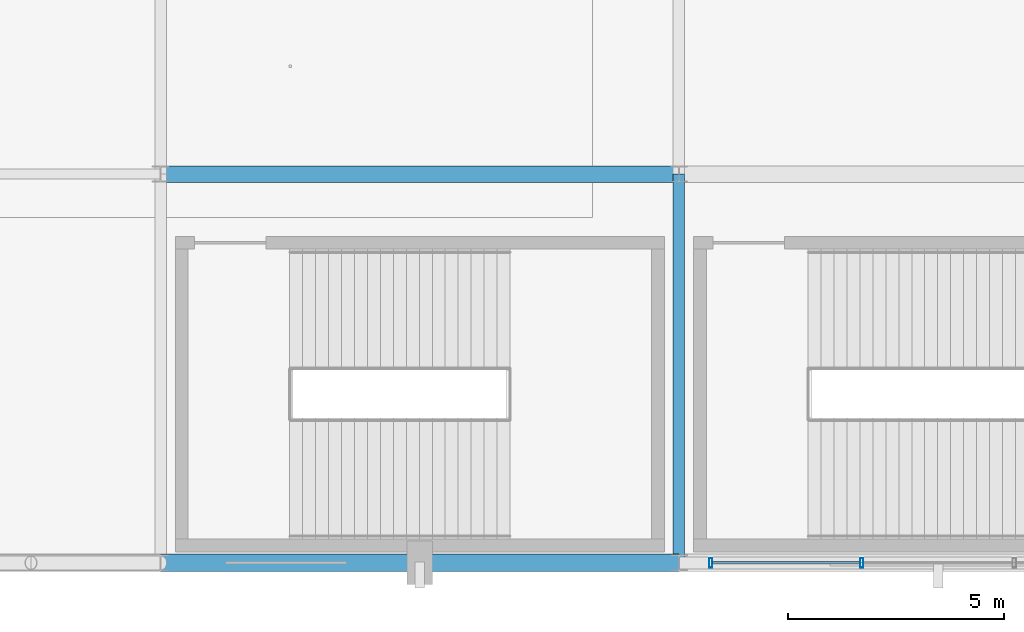
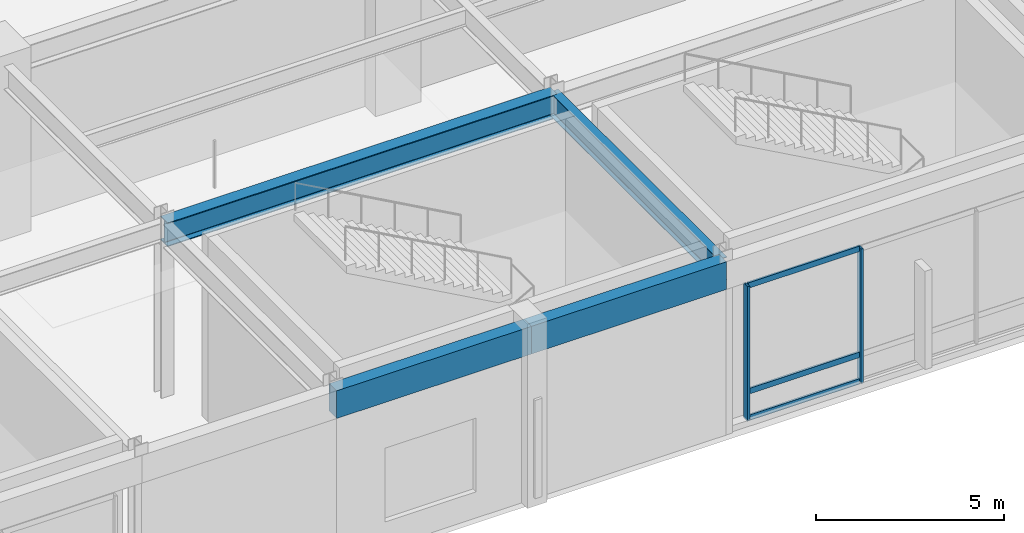
# One storey, part 22 of 108: 5 members, 4 beams, 1 element without a shape of its own.
"""IFC4 building model written with IfcOpenShell, lengths in metres."""

from ifc_helpers import new_model, si_unit, direction, frame, origin, origin_2d, place, context, subcontext, project, spatial, rectangle, hollow_rectangle, i_section, extrude, material, material_profile, profile_set, type_object, element, aggregate, save


model = new_model("IFC4")

# Units and contexts
model_context = context("Model", 3, precision=1e-05, world=origin(), true_north=direction((0.0, 1.0)))
body_context = subcontext(model_context, "Body", "Model", "MODEL_VIEW")
ifc_project = project(units=[si_unit("LENGTHUNIT", "METRE"), si_unit("AREAUNIT", "SQUARE_METRE"), si_unit("VOLUMEUNIT", "CUBIC_METRE"), si_unit("PLANEANGLEUNIT", "RADIAN"), si_unit("MASSUNIT", "GRAM", prefix="KILO")], contexts=[model_context])

# Site, building, storey
site_placement = place(None, origin())
site = spatial("IfcSite", under=ifc_project, at=site_placement, CompositionType="ELEMENT")
building_placement = place(site_placement, origin())
building = spatial("IfcBuilding", under=site, at=building_placement, Name="Kaldorvane Square Convention Centre", CompositionType="ELEMENT")
storey_placement = place(building_placement, frame((0.0, 0.0, 12.0)))
storey = spatial("IfcBuildingStorey", under=building, at=storey_placement, Name="L02", CompositionType="ELEMENT", Elevation=12.0)

# Beams
ifc_material_1 = material(Name="Steel ASTM A992 Gr. 50", Category="steel")
ifc_material_profile_1 = material_profile(ifc_material_1, i_section(OverallWidth=0.2666015625, OverallDepth=0.762298583984375, WebThickness=0.014404296875, FlangeThickness=0.0216064453125, FilletRadius=0.0164947509765625, at=origin_2d()), Name="W30X116")
ifc_profile_set_1 = profile_set([ifc_material_profile_1], Name="Steel ASTM A992 Gr. 50")
beam_type_1 = type_object("IfcBeamType", Name="BM-GR-W30X116", PredefinedType="BEAM", material=ifc_profile_set_1)
beam_1_placement = place(storey_placement, frame((42.0, 0.0, 5.264801025390625), z_axis=(0.0, 1.0, 0.0), x_axis=(-1.0, 0.0, 0.0)))
element("IfcBeam", 1, at=beam_1_placement, inside=storey, type_object=beam_type_1, Name="Transverse Girder (L02)", PredefinedType="BEAM", context=body_context, shape_type="SweptSolid", body=[
    extrude(i_section(OverallWidth=0.2666015625, OverallDepth=0.762298583984375, WebThickness=0.014404296875, FlangeThickness=0.0216064453125, FilletRadius=0.0164947509765625, at=origin_2d()), origin(), (0.0, 0.0, 1.0), 9.0),
])
ifc_material_profile_2 = material_profile(ifc_material_1, i_section(OverallWidth=0.380706787109375, OverallDepth=0.773193359375, WebThickness=0.0166015625, FlangeThickness=0.027099609375, FilletRadius=0.0164947509765625, at=origin_2d()), Name="W30X173")
ifc_profile_set_2 = profile_set([ifc_material_profile_2], Name="Steel ASTM A992 Gr. 50")
beam_type_2 = type_object("IfcBeamType", Name="BM-GR-W30X173", PredefinedType="BEAM", material=ifc_profile_set_2)
beam_2_placement = place(storey_placement, frame((30.0, 9.0, 5.2593994140625), z_axis=(1.0, 0.0, 0.0), x_axis=(0.0, 1.0, 0.0)))
element("IfcBeam", 2, at=beam_2_placement, inside=storey, type_object=beam_type_2, Name="Primary Girder (L02)", PredefinedType="BEAM", context=body_context, shape_type="SweptSolid", body=[
    extrude(i_section(OverallWidth=0.380706787109375, OverallDepth=0.773193359375, WebThickness=0.0166015625, FlangeThickness=0.027099609375, FilletRadius=0.0164947509765625, at=origin_2d()), origin(), (0.0, 0.0, 1.0), 12.0),
])
ifc_material_2 = material(Name="Concrete f'c = 42 MPa (Normalweight)", Category="concrete")
ifc_material_profile_3 = material_profile(ifc_material_2, rectangle(XDim=0.399993896484375, YDim=0.899993896484375, at=origin_2d()), Name="RCSP900X400")
ifc_profile_set_3 = profile_set([ifc_material_profile_3], Name="Concrete f'c = 42 MPa (Normalweight)")
beam_type_3 = type_object("IfcBeamType", Name="BM-SP-RC900", PredefinedType="SPANDREL", material=ifc_profile_set_3)
for number, where, z_axis, x_axis, name in (
    (3, (30.0, 0.0, 5.1959991455078125), (1.0, 0.0, 0.0), (0.0, 1.0, 0.0), "Perimeter Spandrel (L02)"),
    (4, (36.0, 0.0, 5.1959991455078125), (1.0, 0.0, 0.0), (0.0, 1.0, 0.0), "Perimeter Spandrel (L02)"),
):
    element("IfcBeam", number, at=place(storey_placement, frame(where, z_axis=z_axis, x_axis=x_axis)), inside=storey, type_object=beam_type_3, Name=name, PredefinedType="SPANDREL", context=body_context, shape_type="SweptSolid", body=[
        extrude(rectangle(XDim=0.399993896484375, YDim=0.899993896484375, at=origin_2d()), origin(), (0.0, 0.0, 1.0), 6.0),
    ])

# Curtain wall, members
ifc_material_3 = material(Name="Anodized Aluminum and Low-E Insulated Glazing", Category="aluminium")
curtain_wall_type = type_object("IfcCurtainWallType", Name="CW-UNI-P60-12", PredefinedType="USERDEFINED", material=ifc_material_3)
curtain_wall_placement = place(storey_placement, origin())
curtain_wall = element("IfcCurtainWall", 5, at=curtain_wall_placement, inside=storey, type_object=curtain_wall_type, Name="Curtain Wall CW-01 (L02)", ObjectType="UNITISED GLAZING", PredefinedType="USERDEFINED")
ifc_material_profile_4 = material_profile(ifc_material_3, hollow_rectangle(XDim=0.0749969482421875, YDim=0.220001220703125, WallThickness=0.003997802734375, at=origin_2d()), Name="CWM-220X75")
ifc_profile_set_4 = profile_set([ifc_material_profile_4], Name="Anodized Aluminum and Low-E Insulated Glazing")
member_type_1 = type_object("IfcMemberType", Name="CW-MUL-220", PredefinedType="MULLION", material=ifc_profile_set_4)
member_1_placement = place(storey_placement, frame((42.73750305175781, 0.0, 0.149993896484375), z_axis=(0.0, 0.0, 1.0), x_axis=(1.0, 0.0, 0.0)))
member_1 = element("IfcMember", 6, at=member_1_placement, type_object=member_type_1, Name="CW-01 mullion 1", PredefinedType="MULLION", context=body_context, shape_type="SweptSolid", body=[
    extrude(hollow_rectangle(XDim=0.0749969482421875, YDim=0.220001220703125, WallThickness=0.003997802734375, at=origin_2d()), origin(), (0.0, 0.0, 1.0), 4.3800048828125),
])
member_2_placement = place(storey_placement, frame((46.23333740234375, 0.0, 0.149993896484375), z_axis=(0.0, 0.0, 1.0), x_axis=(1.0, 0.0, 0.0)))
member_2 = element("IfcMember", 7, at=member_2_placement, type_object=member_type_1, Name="CW-01 mullion 2", PredefinedType="MULLION", context=body_context, shape_type="SweptSolid", body=[
    extrude(hollow_rectangle(XDim=0.0749969482421875, YDim=0.220001220703125, WallThickness=0.003997802734375, at=origin_2d()), origin(), (0.0, 0.0, 1.0), 4.3800048828125),
])
ifc_material_profile_5 = material_profile(ifc_material_3, hollow_rectangle(XDim=0.06500244140625, YDim=0.17999267578125, WallThickness=0.0034942626953125, at=origin_2d()), Name="CWT-180X65")
ifc_profile_set_5 = profile_set([ifc_material_profile_5], Name="Anodized Aluminum and Low-E Insulated Glazing")
member_type_2 = type_object("IfcMemberType", Name="CW-TRN-180", PredefinedType="USERDEFINED", material=ifc_profile_set_5)
member_3_placement = place(storey_placement, frame((42.774993896484375, 0.0, 0.1824951171875), z_axis=(1.0, 0.0, 0.0), x_axis=(0.0, 1.0, 0.0)))
member_3 = element("IfcMember", 8, at=member_3_placement, type_object=member_type_2, Name="CW-01 transom 1.1", ObjectType="TRANSOM", PredefinedType="USERDEFINED", context=body_context, shape_type="SweptSolid", body=[
    extrude(hollow_rectangle(XDim=0.06500244140625, YDim=0.17999267578125, WallThickness=0.0034942626953125, at=origin_2d()), origin(), (0.0, 0.0, 1.0), 3.42083740234375),
])
member_4_placement = place(storey_placement, frame((42.774993896484375, 0.0, 1.0500030517578125), z_axis=(1.0, 0.0, 0.0), x_axis=(0.0, 1.0, 0.0)))
member_4 = element("IfcMember", 9, at=member_4_placement, type_object=member_type_2, Name="CW-01 transom 1.2", ObjectType="TRANSOM", PredefinedType="USERDEFINED", context=body_context, shape_type="SweptSolid", body=[
    extrude(hollow_rectangle(XDim=0.06500244140625, YDim=0.17999267578125, WallThickness=0.0034942626953125, at=origin_2d()), origin(), (0.0, 0.0, 1.0), 3.42083740234375),
])
member_5_placement = place(storey_placement, frame((42.774993896484375, 0.0, 4.49749755859375), z_axis=(1.0, 0.0, 0.0), x_axis=(0.0, 1.0, 0.0)))
member_5 = element("IfcMember", 10, at=member_5_placement, type_object=member_type_2, Name="CW-01 transom 1.3", ObjectType="TRANSOM", PredefinedType="USERDEFINED", context=body_context, shape_type="SweptSolid", body=[
    extrude(hollow_rectangle(XDim=0.06500244140625, YDim=0.17999267578125, WallThickness=0.0034942626953125, at=origin_2d()), origin(), (0.0, 0.0, 1.0), 3.42083740234375),
])
aggregate(curtain_wall, [member_1, member_2, member_3, member_4, member_5])

save(model, "model.ifc")
